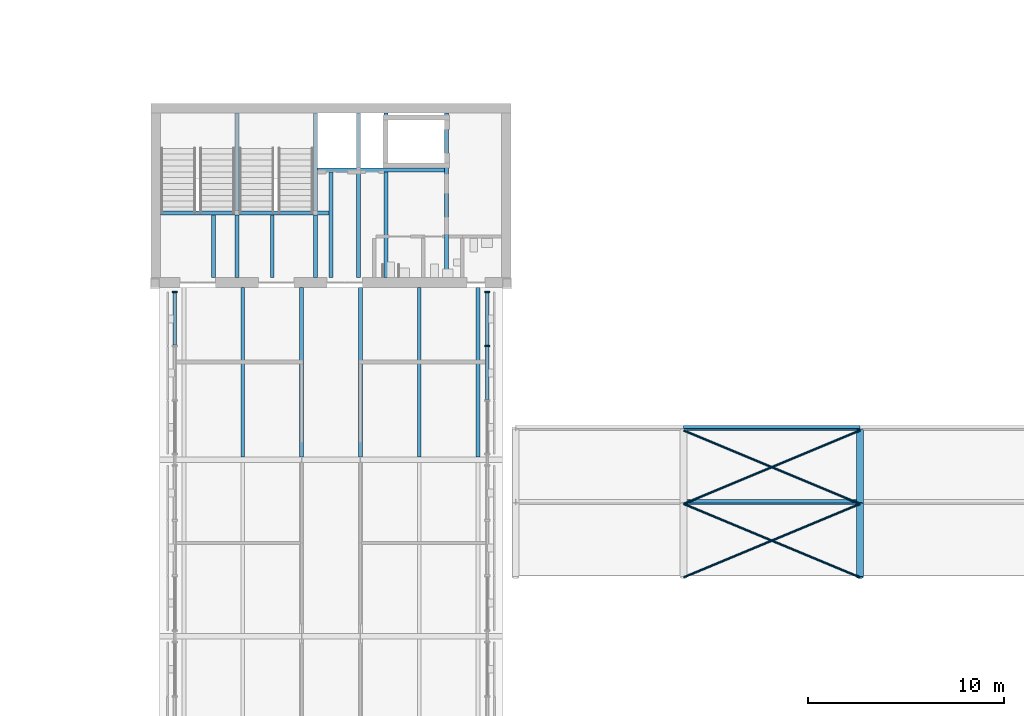
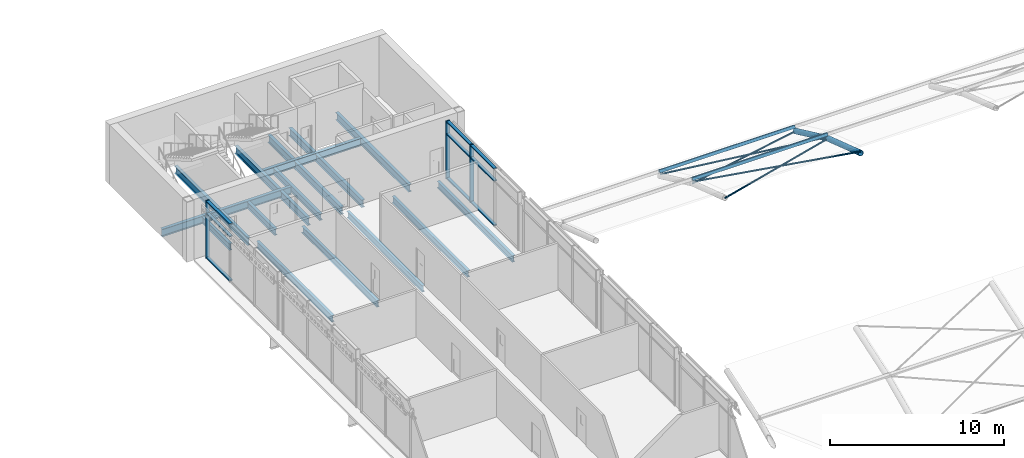
# One storey, part 7 of 54: 20 members, 19 beams, 2 elements without a shape of their own.
"""IFC4 building model written with IfcOpenShell, lengths in metres."""

from ifc_helpers import new_model, si_unit, direction, frame, origin, origin_2d, place, context, subcontext, project, spatial, rectangle, hollow_rectangle, hollow_circle, i_section, extrude, material, material_profile, profile_set, type_object, element, aggregate, save


model = new_model("IFC4")

# Units and contexts
model_context = context("Model", 3, precision=1e-05, world=origin(), true_north=direction((0.0, 1.0)))
body_context = subcontext(model_context, "Body", "Model", "MODEL_VIEW")
ifc_project = project(units=[si_unit("LENGTHUNIT", "METRE"), si_unit("AREAUNIT", "SQUARE_METRE"), si_unit("VOLUMEUNIT", "CUBIC_METRE"), si_unit("PLANEANGLEUNIT", "RADIAN"), si_unit("MASSUNIT", "GRAM", prefix="KILO")], contexts=[model_context])

# Site, building, storey
site_placement = place(None, origin())
site = spatial("IfcSite", under=ifc_project, at=site_placement, CompositionType="ELEMENT")
building_placement = place(site_placement, origin())
building = spatial("IfcBuilding", under=site, at=building_placement, Name="Baradari Gate Terminus", CompositionType="ELEMENT")
storey_placement = place(building_placement, frame((0.0, 0.0, 15.89990234375)))
storey = spatial("IfcBuildingStorey", under=building, at=storey_placement, Name="L03", CompositionType="ELEMENT", Elevation=15.89990234375)

# Beams
ifc_material_1 = material(Name="Steel S355", Category="steel")
ifc_material_profile_1 = material_profile(ifc_material_1, i_section(OverallWidth=0.19140625, OverallDepth=0.4599609375, WebThickness=0.010009765625, FlangeThickness=0.01611328125, FilletRadius=0.01025390625, at=origin_2d()), Name="UB 457x191x82")
ifc_profile_set_1 = profile_set([ifc_material_profile_1], Name="Steel S355")
beam_type_1 = type_object("IfcBeamType", Name="Core floor beam B66 UB 457x191x82", PredefinedType="BEAM", material=ifc_profile_set_1)
for number, where, z_axis, x_axis, name in (
    (1, (75.0, 81.300048828125, -0.3798828125), (0.0, 1.0, 0.0), (-1.0, 0.0, 0.0), "Core floor beam B66 75:81.3-84.495 L03"),
    (2, (78.0, 81.300048828125, -0.3798828125), (0.0, 1.0, 0.0), (-1.0, 0.0, 0.0), "Core floor beam B66 78:81.3-84.495 L03"),
):
    element("IfcBeam", number, at=place(storey_placement, frame(where, z_axis=z_axis, x_axis=x_axis)), inside=storey, type_object=beam_type_1, Name=name, PredefinedType="BEAM", context=body_context, shape_type="SweptSolid", body=[
        extrude(i_section(OverallWidth=0.19140625, OverallDepth=0.4599609375, WebThickness=0.010009765625, FlangeThickness=0.01611328125, FilletRadius=0.01025390625, at=origin_2d()), origin(), (0.0, 0.0, 1.0), 3.1953125),
    ])
beam_1_placement = place(storey_placement, frame((81.0, 81.300048828125, -0.3798828125), z_axis=(0.0, 1.0, 0.0), x_axis=(-1.0, 0.0, 0.0)))
element("IfcBeam", 3, at=beam_1_placement, inside=storey, type_object=beam_type_1, Name="Core floor beam B66 10:81.3-86.695 L03", PredefinedType="BEAM", context=body_context, shape_type="SweptSolid", body=[
    extrude(i_section(OverallWidth=0.19140625, OverallDepth=0.4599609375, WebThickness=0.010009765625, FlangeThickness=0.01611328125, FilletRadius=0.01025390625, at=origin_2d()), origin(), (0.0, 0.0, 1.0), 5.395263671875),
])
ifc_material_2 = material(Name="Steel S355", Category="steel")
ifc_material_profile_2 = material_profile(ifc_material_2, i_section(OverallWidth=0.209228515625, OverallDepth=0.533203125, WebThickness=0.010009765625, FlangeThickness=0.015625, FilletRadius=0.0126953125, at=origin_2d()), Name="UB 533x210x92")
ifc_profile_set_2 = profile_set([ifc_material_profile_2], Name="Steel S355")
beam_type_2 = type_object("IfcBeamType", Name="Core floor trimmer beam B65 UB 533x210x92", PredefinedType="BEAM", material=ifc_profile_set_2)
beam_2_placement = place(storey_placement, frame((72.300048828125, 84.60009765625, -0.41650390625), z_axis=(1.0, 0.0, 0.0), x_axis=(0.0, 1.0, 0.0)))
element("IfcBeam", 4, at=beam_2_placement, inside=storey, type_object=beam_type_2, Name="Core floor trimmer beam B65 84.6:72.3-80.904 L03", PredefinedType="BEAM", context=body_context, shape_type="SweptSolid", body=[
    extrude(i_section(OverallWidth=0.209228515625, OverallDepth=0.533203125, WebThickness=0.010009765625, FlangeThickness=0.015625, FilletRadius=0.0126953125, at=origin_2d()), origin(), (0.0, 0.0, 1.0), 8.604248046875),
])
beam_3_placement = place(storey_placement, frame((80.3046875, 86.800048828125, -0.41650390625), z_axis=(1.0, 0.0, 0.0), x_axis=(0.0, 1.0, 0.0)))
element("IfcBeam", 5, at=beam_3_placement, inside=storey, type_object=beam_type_2, Name="Core floor trimmer beam B65 86.8:80.305-86.8 L03", PredefinedType="BEAM", context=body_context, shape_type="SweptSolid", body=[
    extrude(i_section(OverallWidth=0.209228515625, OverallDepth=0.533203125, WebThickness=0.010009765625, FlangeThickness=0.015625, FilletRadius=0.0126953125, at=origin_2d()), origin(), (0.0, 0.0, 1.0), 6.49560546875),
])
beam_4_placement = place(storey_placement, frame((86.905029296875, 81.300048828125, -0.41650390625), z_axis=(0.0, 1.0, 0.0), x_axis=(-1.0, 0.0, 0.0)))
element("IfcBeam", 6, at=beam_4_placement, inside=storey, type_object=beam_type_2, Name="Core floor trimmer beam B65 86.905:81.3-89.7 L03", PredefinedType="BEAM", context=body_context, shape_type="SweptSolid", body=[
    extrude(i_section(OverallWidth=0.209228515625, OverallDepth=0.533203125, WebThickness=0.010009765625, FlangeThickness=0.015625, FilletRadius=0.0126953125, at=origin_2d()), origin(), (0.0, 0.0, 1.0), 8.39990234375),
])
beam_5_placement = place(storey_placement, frame((76.199951171875, 81.300048828125, -0.41650390625), z_axis=(0.0, 1.0, 0.0), x_axis=(-1.0, 0.0, 0.0)))
element("IfcBeam", 7, at=beam_5_placement, inside=storey, type_object=beam_type_2, Name="Core floor trimmer beam B65 76.2:81.3-84.495 L03", PredefinedType="BEAM", context=body_context, shape_type="SweptSolid", body=[
    extrude(i_section(OverallWidth=0.209228515625, OverallDepth=0.533203125, WebThickness=0.010009765625, FlangeThickness=0.015625, FilletRadius=0.0126953125, at=origin_2d()), origin(), (0.0, 0.0, 1.0), 3.1953125),
])
beam_6_placement = place(storey_placement, frame((76.199951171875, 84.70458984375, -0.41650390625), z_axis=(0.0, 1.0, 0.0), x_axis=(-1.0, 0.0, 0.0)))
element("IfcBeam", 8, at=beam_6_placement, inside=storey, type_object=beam_type_2, Name="Core floor trimmer beam B65 76.2:84.705-89.7 L03", PredefinedType="BEAM", context=body_context, shape_type="SweptSolid", body=[
    extrude(i_section(OverallWidth=0.209228515625, OverallDepth=0.533203125, WebThickness=0.010009765625, FlangeThickness=0.015625, FilletRadius=0.0126953125, at=origin_2d()), origin(), (0.0, 0.0, 1.0), 4.995361328125),
])
beam_7_placement = place(storey_placement, frame((80.199951171875, 81.300048828125, -0.41650390625), z_axis=(0.0, 1.0, 0.0), x_axis=(-1.0, 0.0, 0.0)))
element("IfcBeam", 9, at=beam_7_placement, inside=storey, type_object=beam_type_2, Name="Core floor trimmer beam B65 80.2:81.3-84.495 L03", PredefinedType="BEAM", context=body_context, shape_type="SweptSolid", body=[
    extrude(i_section(OverallWidth=0.209228515625, OverallDepth=0.533203125, WebThickness=0.010009765625, FlangeThickness=0.015625, FilletRadius=0.0126953125, at=origin_2d()), origin(), (0.0, 0.0, 1.0), 3.1953125),
])
beam_8_placement = place(storey_placement, frame((80.199951171875, 84.70458984375, -0.41650390625), z_axis=(0.0, 1.0, 0.0), x_axis=(-1.0, 0.0, 0.0)))
element("IfcBeam", 10, at=beam_8_placement, inside=storey, type_object=beam_type_2, Name="Core floor trimmer beam B65 80.2:84.705-89.7 L03", PredefinedType="BEAM", context=body_context, shape_type="SweptSolid", body=[
    extrude(i_section(OverallWidth=0.209228515625, OverallDepth=0.533203125, WebThickness=0.010009765625, FlangeThickness=0.015625, FilletRadius=0.0126953125, at=origin_2d()), origin(), (0.0, 0.0, 1.0), 4.995361328125),
])
beam_9_placement = place(storey_placement, frame((82.39990234375, 81.300048828125, -0.41650390625), z_axis=(0.0, 1.0, 0.0), x_axis=(-1.0, 0.0, 0.0)))
element("IfcBeam", 11, at=beam_9_placement, inside=storey, type_object=beam_type_2, Name="Core floor trimmer beam B65 82.4:81.3-86.695 L03", PredefinedType="BEAM", context=body_context, shape_type="SweptSolid", body=[
    extrude(i_section(OverallWidth=0.209228515625, OverallDepth=0.533203125, WebThickness=0.010009765625, FlangeThickness=0.015625, FilletRadius=0.0126953125, at=origin_2d()), origin(), (0.0, 0.0, 1.0), 5.395263671875),
])
beam_10_placement = place(storey_placement, frame((82.39990234375, 86.90478515625, -0.41650390625), z_axis=(0.0, 1.0, 0.0), x_axis=(-1.0, 0.0, 0.0)))
element("IfcBeam", 12, at=beam_10_placement, inside=storey, type_object=beam_type_2, Name="Core floor trimmer beam B65 82.4:86.905-89.7 L03", PredefinedType="BEAM", context=body_context, shape_type="SweptSolid", body=[
    extrude(i_section(OverallWidth=0.209228515625, OverallDepth=0.533203125, WebThickness=0.010009765625, FlangeThickness=0.015625, FilletRadius=0.0126953125, at=origin_2d()), origin(), (0.0, 0.0, 1.0), 2.795166015625),
])
beam_11_placement = place(storey_placement, frame((83.800048828125, 81.300048828125, -0.41650390625), z_axis=(0.0, 1.0, 0.0), x_axis=(-1.0, 0.0, 0.0)))
element("IfcBeam", 13, at=beam_11_placement, inside=storey, type_object=beam_type_2, Name="Core floor trimmer beam B65 83.8:81.3-86.695 L03", PredefinedType="BEAM", context=body_context, shape_type="SweptSolid", body=[
    extrude(i_section(OverallWidth=0.209228515625, OverallDepth=0.533203125, WebThickness=0.010009765625, FlangeThickness=0.015625, FilletRadius=0.0126953125, at=origin_2d()), origin(), (0.0, 0.0, 1.0), 5.395263671875),
])
beam_12_placement = place(storey_placement, frame((83.800048828125, 86.90478515625, -0.41650390625), z_axis=(0.0, 1.0, 0.0), x_axis=(-1.0, 0.0, 0.0)))
element("IfcBeam", 14, at=beam_12_placement, inside=storey, type_object=beam_type_2, Name="Core floor trimmer beam B65 83.8:86.905-89.7 L03", PredefinedType="BEAM", context=body_context, shape_type="SweptSolid", body=[
    extrude(i_section(OverallWidth=0.209228515625, OverallDepth=0.533203125, WebThickness=0.010009765625, FlangeThickness=0.015625, FilletRadius=0.0126953125, at=origin_2d()), origin(), (0.0, 0.0, 1.0), 2.795166015625),
])

# Curtain wall, member
ifc_material_3 = material(Name="Aluminium 6063-T6", Category="aluminium")
curtain_wall_type = type_object("IfcCurtainWallType", Name="Curtain wall CW-3 gate face, office floors", PredefinedType="NOTDEFINED", material=ifc_material_3)
curtain_wall_1_placement = place(storey_placement, origin())
curtain_wall_1 = element("IfcCurtainWall", 15, at=curtain_wall_1_placement, inside=storey, type_object=curtain_wall_type, Name="Curtain wall CW-3 gate west face L03 bay 5", PredefinedType="NOTDEFINED")
ifc_material_4 = material(Name="Aluminium 6063-T6", Category="aluminium")
ifc_material_profile_3 = material_profile(ifc_material_4, rectangle(XDim=0.25, YDim=0.080078125, at=origin_2d()), Name="CM-3 80X250")
ifc_profile_set_3 = profile_set([ifc_material_profile_3], Name="Aluminium 6063-T6")
member_type_1 = type_object("IfcMemberType", Name="Curtain wall mullion CM-3 80x250", PredefinedType="MULLION", material=ifc_profile_set_3)
member_1_placement = place(storey_placement, frame((73.02490234375, 80.56005859375, 0.0), z_axis=(0.0, 0.0, 1.0), x_axis=(-1.0, 0.0, 0.0)))
member_1 = element("IfcMember", 16, at=member_1_placement, type_object=member_type_1, Name="CW-3 mullion 4", PredefinedType="MULLION", context=body_context, shape_type="SweptSolid", body=[
    extrude(rectangle(XDim=0.25, YDim=0.080078125, at=origin_2d()), origin(), (0.0, 0.0, 1.0), 4.050048828125),
])

# Curtain wall, members
curtain_wall_2_placement = place(storey_placement, origin())
curtain_wall_2 = element("IfcCurtainWall", 17, at=curtain_wall_2_placement, inside=storey, type_object=curtain_wall_type, Name="Curtain wall CW-3 gate east face L03 bay 5", PredefinedType="NOTDEFINED")
member_2_placement = place(storey_placement, frame((88.97509765625, 77.816650390625, 0.0), z_axis=(0.0, 0.0, 1.0), x_axis=(-1.0, 0.0, 0.0)))
member_2 = element("IfcMember", 18, at=member_2_placement, type_object=member_type_1, Name="CW-3 mullion 3", PredefinedType="MULLION", context=body_context, shape_type="SweptSolid", body=[
    extrude(rectangle(XDim=0.25, YDim=0.080078125, at=origin_2d()), origin(), (0.0, 0.0, 1.0), 4.050048828125),
])
member_3_placement = place(storey_placement, frame((88.97509765625, 80.56005859375, 0.0), z_axis=(0.0, 0.0, 1.0), x_axis=(-1.0, 0.0, 0.0)))
member_3 = element("IfcMember", 19, at=member_3_placement, type_object=member_type_1, Name="CW-3 mullion 4", PredefinedType="MULLION", context=body_context, shape_type="SweptSolid", body=[
    extrude(rectangle(XDim=0.25, YDim=0.080078125, at=origin_2d()), origin(), (0.0, 0.0, 1.0), 4.050048828125),
])

# Member
ifc_material_5 = material(Name="Aluminium 6063-T6", Category="aluminium")
ifc_material_profile_4 = material_profile(ifc_material_5, rectangle(XDim=0.199951171875, YDim=0.080078125, at=origin_2d()), Name="CT-3 80X200")
ifc_profile_set_4 = profile_set([ifc_material_profile_4], Name="Aluminium 6063-T6")
member_type_2 = type_object("IfcMemberType", Name="Curtain wall transom CT-3 80x200", PredefinedType="USERDEFINED", material=ifc_profile_set_4)
member_4_placement = place(storey_placement, frame((73.02490234375, 77.856689453125, 0.0400390625), z_axis=(0.0, 1.0, 0.0), x_axis=(-1.0, 0.0, 0.0)))
member_4 = element("IfcMember", 20, at=member_4_placement, type_object=member_type_2, Name="CW-3 transom 3.1", ObjectType="TRANSOM", PredefinedType="USERDEFINED", context=body_context, shape_type="SweptSolid", body=[
    extrude(rectangle(XDim=0.199951171875, YDim=0.080078125, at=origin_2d()), origin(), (0.0, 0.0, 1.0), 2.663330078125),
])

member_5_placement = place(storey_placement, frame((73.02490234375, 77.856689453125, 3.150146484375), z_axis=(0.0, 1.0, 0.0), x_axis=(-1.0, 0.0, 0.0)))
member_5 = element("IfcMember", 21, at=member_5_placement, type_object=member_type_2, Name="CW-3 transom 3.2", ObjectType="TRANSOM", PredefinedType="USERDEFINED", context=body_context, shape_type="SweptSolid", body=[
    extrude(rectangle(XDim=0.199951171875, YDim=0.080078125, at=origin_2d()), origin(), (0.0, 0.0, 1.0), 2.663330078125),
])

member_6_placement = place(storey_placement, frame((73.02490234375, 77.856689453125, 4.010009765625), z_axis=(0.0, 1.0, 0.0), x_axis=(-1.0, 0.0, 0.0)))
member_6 = element("IfcMember", 22, at=member_6_placement, type_object=member_type_2, Name="CW-3 transom 3.3", ObjectType="TRANSOM", PredefinedType="USERDEFINED", context=body_context, shape_type="SweptSolid", body=[
    extrude(rectangle(XDim=0.199951171875, YDim=0.080078125, at=origin_2d()), origin(), (0.0, 0.0, 1.0), 2.663330078125),
])

aggregate(curtain_wall_1, [member_1, member_4, member_5, member_6])

member_7_placement = place(storey_placement, frame((88.97509765625, 75.0732421875, 0.0400390625), z_axis=(0.0, 1.0, 0.0), x_axis=(-1.0, 0.0, 0.0)))
member_7 = element("IfcMember", 23, at=member_7_placement, type_object=member_type_2, Name="CW-3 transom 2.1", ObjectType="TRANSOM", PredefinedType="USERDEFINED", context=body_context, shape_type="SweptSolid", body=[
    extrude(rectangle(XDim=0.199951171875, YDim=0.080078125, at=origin_2d()), origin(), (0.0, 0.0, 1.0), 2.703369140625),
])

member_8_placement = place(storey_placement, frame((88.97509765625, 75.0732421875, 3.150146484375), z_axis=(0.0, 1.0, 0.0), x_axis=(-1.0, 0.0, 0.0)))
member_8 = element("IfcMember", 24, at=member_8_placement, type_object=member_type_2, Name="CW-3 transom 2.2", ObjectType="TRANSOM", PredefinedType="USERDEFINED", context=body_context, shape_type="SweptSolid", body=[
    extrude(rectangle(XDim=0.199951171875, YDim=0.080078125, at=origin_2d()), origin(), (0.0, 0.0, 1.0), 2.703369140625),
])

member_9_placement = place(storey_placement, frame((88.97509765625, 75.0732421875, 4.010009765625), z_axis=(0.0, 1.0, 0.0), x_axis=(-1.0, 0.0, 0.0)))
member_9 = element("IfcMember", 25, at=member_9_placement, type_object=member_type_2, Name="CW-3 transom 2.3", ObjectType="TRANSOM", PredefinedType="USERDEFINED", context=body_context, shape_type="SweptSolid", body=[
    extrude(rectangle(XDim=0.199951171875, YDim=0.080078125, at=origin_2d()), origin(), (0.0, 0.0, 1.0), 2.703369140625),
])

member_10_placement = place(storey_placement, frame((88.97509765625, 77.856689453125, 0.0400390625), z_axis=(0.0, 1.0, 0.0), x_axis=(-1.0, 0.0, 0.0)))
member_10 = element("IfcMember", 26, at=member_10_placement, type_object=member_type_2, Name="CW-3 transom 3.1", ObjectType="TRANSOM", PredefinedType="USERDEFINED", context=body_context, shape_type="SweptSolid", body=[
    extrude(rectangle(XDim=0.199951171875, YDim=0.080078125, at=origin_2d()), origin(), (0.0, 0.0, 1.0), 2.663330078125),
])

member_11_placement = place(storey_placement, frame((88.97509765625, 77.856689453125, 3.150146484375), z_axis=(0.0, 1.0, 0.0), x_axis=(-1.0, 0.0, 0.0)))
member_11 = element("IfcMember", 27, at=member_11_placement, type_object=member_type_2, Name="CW-3 transom 3.2", ObjectType="TRANSOM", PredefinedType="USERDEFINED", context=body_context, shape_type="SweptSolid", body=[
    extrude(rectangle(XDim=0.199951171875, YDim=0.080078125, at=origin_2d()), origin(), (0.0, 0.0, 1.0), 2.663330078125),
])

member_12_placement = place(storey_placement, frame((88.97509765625, 77.856689453125, 4.010009765625), z_axis=(0.0, 1.0, 0.0), x_axis=(-1.0, 0.0, 0.0)))
member_12 = element("IfcMember", 28, at=member_12_placement, type_object=member_type_2, Name="CW-3 transom 3.3", ObjectType="TRANSOM", PredefinedType="USERDEFINED", context=body_context, shape_type="SweptSolid", body=[
    extrude(rectangle(XDim=0.199951171875, YDim=0.080078125, at=origin_2d()), origin(), (0.0, 0.0, 1.0), 2.663330078125),
])

aggregate(curtain_wall_2, [member_2, member_3, member_7, member_8, member_9, member_10, member_11, member_12])

# Beams
ifc_material_6 = material(Name="Steel S355", Category="steel")
ifc_material_profile_5 = material_profile(ifc_material_6, i_section(OverallWidth=0.19140625, OverallDepth=0.4599609375, WebThickness=0.010009765625, FlangeThickness=0.01611328125, FilletRadius=0.01025390625, at=origin_2d()), Name="UB 457x191x82")
ifc_profile_set_5 = profile_set([ifc_material_profile_5], Name="Steel S355")
beam_type_3 = type_object("IfcBeamType", Name="Gate secondary beam B31 UB 457x191x82", PredefinedType="BEAM", material=ifc_profile_set_5)
for number, where, z_axis, x_axis, name in (
    (29, (76.5, 72.13330078125, -0.3798828125), (0.0, 1.0, 0.0), (-1.0, 0.0, 0.0), "Gate secondary beam B31 76.5:72.133-80.8 L03"),
    (30, (79.5, 72.13330078125, -0.3798828125), (0.0, 1.0, 0.0), (-1.0, 0.0, 0.0), "Gate secondary beam B31 79.5:72.133-80.8 L03"),
    (31, (82.5, 72.13330078125, -0.3798828125), (0.0, 1.0, 0.0), (-1.0, 0.0, 0.0), "Gate secondary beam B31 82.5:72.133-80.8 L03"),
    (32, (85.5, 72.13330078125, -0.3798828125), (0.0, 1.0, 0.0), (-1.0, 0.0, 0.0), "Gate secondary beam B31 85.5:72.133-80.8 L03"),
    (33, (88.5, 72.13330078125, -0.3798828125), (0.0, 1.0, 0.0), (-1.0, 0.0, 0.0), "Gate secondary beam B31 88.5:72.133-80.8 L03"),
):
    element("IfcBeam", number, at=place(storey_placement, frame(where, z_axis=z_axis, x_axis=x_axis)), inside=storey, type_object=beam_type_3, Name=name, PredefinedType="BEAM", context=body_context, shape_type="SweptSolid", body=[
        extrude(i_section(OverallWidth=0.19140625, OverallDepth=0.4599609375, WebThickness=0.010009765625, FlangeThickness=0.01611328125, FilletRadius=0.01025390625, at=origin_2d()), origin(), (0.0, 0.0, 1.0), 8.666748046875),
    ])

# Members
ifc_material_7 = material(Name="Steel S355", Category="steel")
ifc_material_profile_6 = material_profile(ifc_material_7, hollow_rectangle(XDim=0.199951171875, YDim=0.199951171875, WallThickness=0.008056640625, InnerFilletRadius=0.008056640625, OuterFilletRadius=0.01611328125, at=origin_2d()), Name="SHS 200x200x8")
ifc_profile_set_6 = profile_set([ifc_material_profile_6], Name="Steel S355")
member_type_3 = type_object("IfcMemberType", Name="Shed purlin SHS 200x200x8", PredefinedType="PURLIN", material=ifc_profile_set_6)
for number, where, z_axis, x_axis, name in (
    (34, (99.0, 69.848388671875, 2.93359375), (1.0, 0.0, 0.0), (0.0, 0.928965199535, -0.370167067759), "TR/L03/B108-PU09"),
    (35, (99.0, 73.624755859375, 1.17138671875), (1.0, 0.0, 0.0), (0.0, 0.883026855482, -0.469322461106), "TR/L03/B108-PU10"),
):
    element("IfcMember", number, at=place(storey_placement, frame(where, z_axis=z_axis, x_axis=x_axis)), inside=storey, type_object=member_type_3, Name=name, PredefinedType="PURLIN", context=body_context, shape_type="SweptSolid", body=[
        extrude(hollow_rectangle(XDim=0.199951171875, YDim=0.199951171875, WallThickness=0.008056640625, InnerFilletRadius=0.008056640625, OuterFilletRadius=0.01611328125, at=origin_2d()), origin(), (0.0, 0.0, 1.0), 9.0),
    ])
ifc_material_8 = material(Name="Steel S355", Category="steel")
ifc_material_profile_7 = material_profile(ifc_material_8, hollow_circle(Radius=0.05712890625, WallThickness=0.00634765625, at=origin_2d()), Name="CHS 114.3x6.3")
ifc_profile_set_7 = profile_set([ifc_material_profile_7], Name="Steel S355")
member_type_4 = type_object("IfcMemberType", Name="Shed roof brace CHS 114.3x6.3", PredefinedType="BRACE", material=ifc_profile_set_7)
for number, where, z_axis, x_axis, name in (
    (36, (99.0, 66.0, 3.9365234375), (0.915583075095, 0.381492947956, -0.127164315985), (-0.384615384615, 0.923076923077, 0.0), "TR/L03/B108-RB08A"),
    (37, (108.0, 66.0, 4.05078125), (-0.915583075095, 0.381492947956, -0.127164315985), (-0.384615384615, -0.923076923077, 0.0), "TR/L03/B108-RB08B"),
):
    element("IfcMember", number, at=place(storey_placement, frame(where, z_axis=z_axis, x_axis=x_axis)), inside=storey, type_object=member_type_4, Name=name, PredefinedType="BRACE", context=body_context, shape_type="SweptSolid", body=[
        extrude(hollow_circle(Radius=0.05712890625, WallThickness=0.00634765625, at=origin_2d()), origin(), (0.0, 0.0, 1.0), 9.829833984375),
    ])
for number, where, z_axis, x_axis, name in (
    (38, (99.0, 69.75, 2.6865234375), (0.908558037225, 0.378565848844, -0.176664062794), (-0.384615384615, 0.923076923077, 0.0), "TR/L03/B108-RB09A"),
    (39, (108.0, 69.75, 2.80078125), (-0.908558037225, 0.378565848844, -0.176664062794), (-0.384615384615, -0.923076923077, 0.0), "TR/L03/B108-RB09B"),
):
    element("IfcMember", number, at=place(storey_placement, frame(where, z_axis=z_axis, x_axis=x_axis)), inside=storey, type_object=member_type_4, Name=name, PredefinedType="BRACE", context=body_context, shape_type="SweptSolid", body=[
        extrude(hollow_circle(Radius=0.05712890625, WallThickness=0.00634765625, at=origin_2d()), origin(), (0.0, 0.0, 1.0), 9.90576171875),
    ])
ifc_material_9 = material(Name="Steel S355", Category="steel")
ifc_material_profile_8 = material_profile(ifc_material_9, hollow_circle(Radius=0.177734375, WallThickness=0.01611328125, at=origin_2d()), Name="CHS 355.6x16")
ifc_profile_set_8 = profile_set([ifc_material_profile_8], Name="Steel S355")
member_type_5 = type_object("IfcMemberType", Name="Shed top chord CHS 355.6x16", PredefinedType="CHORD", material=ifc_profile_set_8)
member_13_placement = place(storey_placement, frame((108.0, 66.0, 3.9365234375), z_axis=(0.0, 0.948683298051, -0.316227766017), x_axis=(-1.0, 0.0, 0.0)))
element("IfcMember", 40, at=member_13_placement, inside=storey, type_object=member_type_5, Name="TR/L03/S108-TC08", PredefinedType="CHORD", context=body_context, shape_type="SweptSolid", body=[
    extrude(hollow_circle(Radius=0.177734375, WallThickness=0.01611328125, at=origin_2d()), origin(), (0.0, 0.0, 1.0), 3.952880859375),
])
member_14_placement = place(storey_placement, frame((108.0, 69.75, 2.6865234375), z_axis=(0.0, 0.906183139995, -0.422885465331), x_axis=(-1.0, 0.0, 0.0)))
element("IfcMember", 41, at=member_14_placement, inside=storey, type_object=member_type_5, Name="TR/L03/S108-TC09", PredefinedType="CHORD", context=body_context, shape_type="SweptSolid", body=[
    extrude(hollow_circle(Radius=0.177734375, WallThickness=0.01611328125, at=origin_2d()), origin(), (0.0, 0.0, 1.0), 4.13818359375),
])

save(model, "model.ifc")
